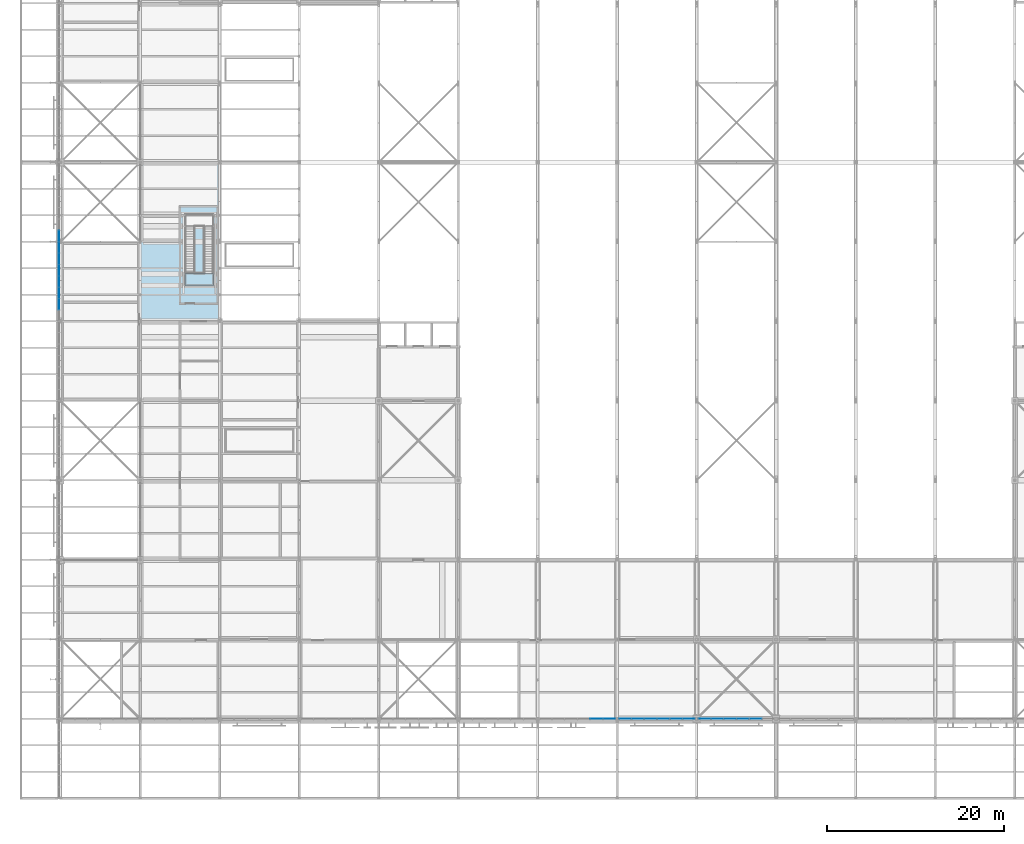
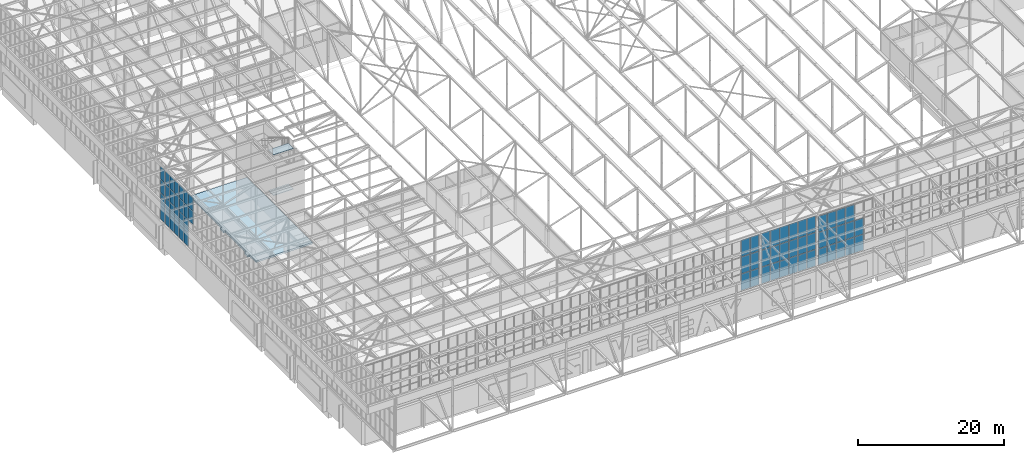
# One storey, part 145 of 646: 64 plates, 3 slabs, 6 elements without a shape of their own.
"""IFC4 building model written with IfcOpenShell, lengths in metres."""

from ifc_helpers import new_model, si_unit, direction, frame, origin, origin_2d, place, context, subcontext, project, spatial, polyline, rectangle, outline, extrude, material, layer, layer_set, type_object, element, aggregate, save


model = new_model("IFC4")

# Units and contexts
model_context = context("Model", 3, precision=1e-05, world=origin(), true_north=direction((0.0, 1.0)))
body_context = subcontext(model_context, "Body", "Model", "MODEL_VIEW")
ifc_project = project(units=[si_unit("LENGTHUNIT", "METRE"), si_unit("AREAUNIT", "SQUARE_METRE"), si_unit("VOLUMEUNIT", "CUBIC_METRE"), si_unit("PLANEANGLEUNIT", "RADIAN"), si_unit("MASSUNIT", "GRAM", prefix="KILO")], contexts=[model_context])

# Site, building, storey
site_placement = place(None, origin())
site = spatial("IfcSite", under=ifc_project, at=site_placement, CompositionType="ELEMENT")
building_placement = place(site_placement, origin())
building = spatial("IfcBuilding", under=site, at=building_placement, Name="Silverbay Arena", CompositionType="ELEMENT")
storey_placement = place(building_placement, frame((0.0, 0.0, 33.5)))
storey = spatial("IfcBuildingStorey", under=building, at=storey_placement, Name="L05", CompositionType="ELEMENT", Elevation=33.5)

# Curtain wall, plates
ifc_material_1 = material(Name="Aluminium framed glazing", Category="aluminium")
curtain_wall_type_1 = type_object("IfcCurtainWallType", Name="Curtain wall clerestory 8693 x 8540", PredefinedType="NOTDEFINED", material=ifc_material_1)
curtain_wall_1_placement = place(storey_placement, origin())
curtain_wall_1 = element("IfcCurtainWall", 1, at=curtain_wall_1_placement, inside=storey, type_object=curtain_wall_type_1, Name="ROOF CLERESTORY CURTAIN WALL south bay 07", PredefinedType="NOTDEFINED")
ifc_material_2 = material(Name="Laminated glass", Category="glass")
ifc_layer_1 = layer(ifc_material_2, 0.028076171875)
ifc_layer_set_1 = layer_set([ifc_layer_1], Name="Laminated glass")
plate_type = type_object("IfcPlateType", Name="Glass panel 28", PredefinedType="CURTAIN_PANEL", material=ifc_layer_set_1)
plate_1_placement = place(storey_placement, frame((114.673095703125, 18.0, 4.509765625), z_axis=(0.0, 0.0, 1.0), x_axis=(1.0, 0.0, 0.0)))
plate_1 = element("IfcPlate", 2, at=plate_1_placement, type_object=plate_type, Name="CW55 panel 5.1", PredefinedType="CURTAIN_PANEL", context=body_context, shape_type="SweptSolid", body=[
    extrude(rectangle(XDim=1.388671875, YDim=0.028076171875, at=origin_2d()), origin(), (0.0, 0.0, 1.0), 2.771728515625),
])
plate_2_placement = place(storey_placement, frame((114.673095703125, 18.0, 7.33154296875), z_axis=(0.0, 0.0, 1.0), x_axis=(1.0, 0.0, 0.0)))
plate_2 = element("IfcPlate", 3, at=plate_2_placement, type_object=plate_type, Name="CW55 panel 5.2", PredefinedType="CURTAIN_PANEL", context=body_context, shape_type="SweptSolid", body=[
    extrude(rectangle(XDim=1.388671875, YDim=0.028076171875, at=origin_2d()), origin(), (0.0, 0.0, 1.0), 2.796630859375),
])
plate_3_placement = place(storey_placement, frame((114.673095703125, 18.0, 10.17822265625), z_axis=(0.0, 0.0, 1.0), x_axis=(1.0, 0.0, 0.0)))
plate_3 = element("IfcPlate", 4, at=plate_3_placement, type_object=plate_type, Name="CW55 panel 5.3", PredefinedType="CURTAIN_PANEL", context=body_context, shape_type="SweptSolid", body=[
    extrude(rectangle(XDim=1.388671875, YDim=0.028076171875, at=origin_2d()), origin(), (0.0, 0.0, 1.0), 2.771728515625),
])
plate_4_placement = place(storey_placement, frame((116.10693359375, 18.0, 4.509765625), z_axis=(0.0, 0.0, 1.0), x_axis=(1.0, 0.0, 0.0)))
plate_4 = element("IfcPlate", 5, at=plate_4_placement, type_object=plate_type, Name="CW55 panel 6.1", PredefinedType="CURTAIN_PANEL", context=body_context, shape_type="SweptSolid", body=[
    extrude(rectangle(XDim=1.35888671875, YDim=0.028076171875, at=origin_2d()), origin(), (0.0, 0.0, 1.0), 2.771728515625),
])
plate_5_placement = place(storey_placement, frame((116.10693359375, 18.0, 7.33154296875), z_axis=(0.0, 0.0, 1.0), x_axis=(1.0, 0.0, 0.0)))
plate_5 = element("IfcPlate", 6, at=plate_5_placement, type_object=plate_type, Name="CW55 panel 6.2", PredefinedType="CURTAIN_PANEL", context=body_context, shape_type="SweptSolid", body=[
    extrude(rectangle(XDim=1.35888671875, YDim=0.028076171875, at=origin_2d()), origin(), (0.0, 0.0, 1.0), 2.796630859375),
])
plate_6_placement = place(storey_placement, frame((116.10693359375, 18.0, 10.17822265625), z_axis=(0.0, 0.0, 1.0), x_axis=(1.0, 0.0, 0.0)))
plate_6 = element("IfcPlate", 7, at=plate_6_placement, type_object=plate_type, Name="CW55 panel 6.3", PredefinedType="CURTAIN_PANEL", context=body_context, shape_type="SweptSolid", body=[
    extrude(rectangle(XDim=1.35888671875, YDim=0.028076171875, at=origin_2d()), origin(), (0.0, 0.0, 1.0), 2.771728515625),
])
aggregate(curtain_wall_1, [plate_1, plate_2, plate_3, plate_4, plate_5, plate_6])

curtain_wall_2_placement = place(storey_placement, origin())
curtain_wall_2 = element("IfcCurtainWall", 8, at=curtain_wall_2_placement, inside=storey, type_object=curtain_wall_type_1, Name="ROOF CLERESTORY CURTAIN WALL south bay 08", PredefinedType="NOTDEFINED")
plate_7_placement = place(storey_placement, frame((117.89306640625, 18.0, 4.509765625), z_axis=(0.0, 0.0, 1.0), x_axis=(1.0, 0.0, 0.0)))
plate_7 = element("IfcPlate", 9, at=plate_7_placement, type_object=plate_type, Name="CW55 panel 1.1", PredefinedType="CURTAIN_PANEL", context=body_context, shape_type="SweptSolid", body=[
    extrude(rectangle(XDim=1.35888671875, YDim=0.028076171875, at=origin_2d()), origin(), (0.0, 0.0, 1.0), 2.771728515625),
])
plate_8_placement = place(storey_placement, frame((117.89306640625, 18.0, 7.33154296875), z_axis=(0.0, 0.0, 1.0), x_axis=(1.0, 0.0, 0.0)))
plate_8 = element("IfcPlate", 10, at=plate_8_placement, type_object=plate_type, Name="CW55 panel 1.2", PredefinedType="CURTAIN_PANEL", context=body_context, shape_type="SweptSolid", body=[
    extrude(rectangle(XDim=1.35888671875, YDim=0.028076171875, at=origin_2d()), origin(), (0.0, 0.0, 1.0), 2.796630859375),
])
plate_9_placement = place(storey_placement, frame((117.89306640625, 18.0, 10.17822265625), z_axis=(0.0, 0.0, 1.0), x_axis=(1.0, 0.0, 0.0)))
plate_9 = element("IfcPlate", 11, at=plate_9_placement, type_object=plate_type, Name="CW55 panel 1.3", PredefinedType="CURTAIN_PANEL", context=body_context, shape_type="SweptSolid", body=[
    extrude(rectangle(XDim=1.35888671875, YDim=0.028076171875, at=origin_2d()), origin(), (0.0, 0.0, 1.0), 2.771728515625),
])
plate_10_placement = place(storey_placement, frame((119.326904296875, 18.0, 4.509765625), z_axis=(0.0, 0.0, 1.0), x_axis=(1.0, 0.0, 0.0)))
plate_10 = element("IfcPlate", 12, at=plate_10_placement, type_object=plate_type, Name="CW55 panel 2.1", PredefinedType="CURTAIN_PANEL", context=body_context, shape_type="SweptSolid", body=[
    extrude(rectangle(XDim=1.388671875, YDim=0.028076171875, at=origin_2d()), origin(), (0.0, 0.0, 1.0), 2.771728515625),
])
plate_11_placement = place(storey_placement, frame((119.326904296875, 18.0, 7.33154296875), z_axis=(0.0, 0.0, 1.0), x_axis=(1.0, 0.0, 0.0)))
plate_11 = element("IfcPlate", 13, at=plate_11_placement, type_object=plate_type, Name="CW55 panel 2.2", PredefinedType="CURTAIN_PANEL", context=body_context, shape_type="SweptSolid", body=[
    extrude(rectangle(XDim=1.388671875, YDim=0.028076171875, at=origin_2d()), origin(), (0.0, 0.0, 1.0), 2.796630859375),
])
plate_12_placement = place(storey_placement, frame((119.326904296875, 18.0, 10.17822265625), z_axis=(0.0, 0.0, 1.0), x_axis=(1.0, 0.0, 0.0)))
plate_12 = element("IfcPlate", 14, at=plate_12_placement, type_object=plate_type, Name="CW55 panel 2.3", PredefinedType="CURTAIN_PANEL", context=body_context, shape_type="SweptSolid", body=[
    extrude(rectangle(XDim=1.388671875, YDim=0.028076171875, at=origin_2d()), origin(), (0.0, 0.0, 1.0), 2.771728515625),
])
plate_13_placement = place(storey_placement, frame((120.775634765625, 18.0, 4.509765625), z_axis=(0.0, 0.0, 1.0), x_axis=(1.0, 0.0, 0.0)))
plate_13 = element("IfcPlate", 15, at=plate_13_placement, type_object=plate_type, Name="CW55 panel 3.1", PredefinedType="CURTAIN_PANEL", context=body_context, shape_type="SweptSolid", body=[
    extrude(rectangle(XDim=1.388671875, YDim=0.028076171875, at=origin_2d()), origin(), (0.0, 0.0, 1.0), 2.771728515625),
])
plate_14_placement = place(storey_placement, frame((120.775634765625, 18.0, 7.33154296875), z_axis=(0.0, 0.0, 1.0), x_axis=(1.0, 0.0, 0.0)))
plate_14 = element("IfcPlate", 16, at=plate_14_placement, type_object=plate_type, Name="CW55 panel 3.2", PredefinedType="CURTAIN_PANEL", context=body_context, shape_type="SweptSolid", body=[
    extrude(rectangle(XDim=1.388671875, YDim=0.028076171875, at=origin_2d()), origin(), (0.0, 0.0, 1.0), 2.796630859375),
])
plate_15_placement = place(storey_placement, frame((120.775634765625, 18.0, 10.17822265625), z_axis=(0.0, 0.0, 1.0), x_axis=(1.0, 0.0, 0.0)))
plate_15 = element("IfcPlate", 17, at=plate_15_placement, type_object=plate_type, Name="CW55 panel 3.3", PredefinedType="CURTAIN_PANEL", context=body_context, shape_type="SweptSolid", body=[
    extrude(rectangle(XDim=1.388671875, YDim=0.028076171875, at=origin_2d()), origin(), (0.0, 0.0, 1.0), 2.771728515625),
])
plate_16_placement = place(storey_placement, frame((122.224365234375, 18.0, 4.509765625), z_axis=(0.0, 0.0, 1.0), x_axis=(1.0, 0.0, 0.0)))
plate_16 = element("IfcPlate", 18, at=plate_16_placement, type_object=plate_type, Name="CW55 panel 4.1", PredefinedType="CURTAIN_PANEL", context=body_context, shape_type="SweptSolid", body=[
    extrude(rectangle(XDim=1.388671875, YDim=0.028076171875, at=origin_2d()), origin(), (0.0, 0.0, 1.0), 2.771728515625),
])
plate_17_placement = place(storey_placement, frame((122.224365234375, 18.0, 7.33154296875), z_axis=(0.0, 0.0, 1.0), x_axis=(1.0, 0.0, 0.0)))
plate_17 = element("IfcPlate", 19, at=plate_17_placement, type_object=plate_type, Name="CW55 panel 4.2", PredefinedType="CURTAIN_PANEL", context=body_context, shape_type="SweptSolid", body=[
    extrude(rectangle(XDim=1.388671875, YDim=0.028076171875, at=origin_2d()), origin(), (0.0, 0.0, 1.0), 2.796630859375),
])
plate_18_placement = place(storey_placement, frame((122.224365234375, 18.0, 10.17822265625), z_axis=(0.0, 0.0, 1.0), x_axis=(1.0, 0.0, 0.0)))
plate_18 = element("IfcPlate", 20, at=plate_18_placement, type_object=plate_type, Name="CW55 panel 4.3", PredefinedType="CURTAIN_PANEL", context=body_context, shape_type="SweptSolid", body=[
    extrude(rectangle(XDim=1.388671875, YDim=0.028076171875, at=origin_2d()), origin(), (0.0, 0.0, 1.0), 2.771728515625),
])
plate_19_placement = place(storey_placement, frame((123.673095703125, 18.0, 4.509765625), z_axis=(0.0, 0.0, 1.0), x_axis=(1.0, 0.0, 0.0)))
plate_19 = element("IfcPlate", 21, at=plate_19_placement, type_object=plate_type, Name="CW55 panel 5.1", PredefinedType="CURTAIN_PANEL", context=body_context, shape_type="SweptSolid", body=[
    extrude(rectangle(XDim=1.388671875, YDim=0.028076171875, at=origin_2d()), origin(), (0.0, 0.0, 1.0), 2.771728515625),
])
plate_20_placement = place(storey_placement, frame((123.673095703125, 18.0, 7.33154296875), z_axis=(0.0, 0.0, 1.0), x_axis=(1.0, 0.0, 0.0)))
plate_20 = element("IfcPlate", 22, at=plate_20_placement, type_object=plate_type, Name="CW55 panel 5.2", PredefinedType="CURTAIN_PANEL", context=body_context, shape_type="SweptSolid", body=[
    extrude(rectangle(XDim=1.388671875, YDim=0.028076171875, at=origin_2d()), origin(), (0.0, 0.0, 1.0), 2.796630859375),
])
plate_21_placement = place(storey_placement, frame((123.673095703125, 18.0, 10.17822265625), z_axis=(0.0, 0.0, 1.0), x_axis=(1.0, 0.0, 0.0)))
plate_21 = element("IfcPlate", 23, at=plate_21_placement, type_object=plate_type, Name="CW55 panel 5.3", PredefinedType="CURTAIN_PANEL", context=body_context, shape_type="SweptSolid", body=[
    extrude(rectangle(XDim=1.388671875, YDim=0.028076171875, at=origin_2d()), origin(), (0.0, 0.0, 1.0), 2.771728515625),
])
plate_22_placement = place(storey_placement, frame((125.10693359375, 18.0, 4.509765625), z_axis=(0.0, 0.0, 1.0), x_axis=(1.0, 0.0, 0.0)))
plate_22 = element("IfcPlate", 24, at=plate_22_placement, type_object=plate_type, Name="CW55 panel 6.1", PredefinedType="CURTAIN_PANEL", context=body_context, shape_type="SweptSolid", body=[
    extrude(rectangle(XDim=1.35888671875, YDim=0.028076171875, at=origin_2d()), origin(), (0.0, 0.0, 1.0), 2.771728515625),
])
plate_23_placement = place(storey_placement, frame((125.10693359375, 18.0, 7.33154296875), z_axis=(0.0, 0.0, 1.0), x_axis=(1.0, 0.0, 0.0)))
plate_23 = element("IfcPlate", 25, at=plate_23_placement, type_object=plate_type, Name="CW55 panel 6.2", PredefinedType="CURTAIN_PANEL", context=body_context, shape_type="SweptSolid", body=[
    extrude(rectangle(XDim=1.35888671875, YDim=0.028076171875, at=origin_2d()), origin(), (0.0, 0.0, 1.0), 2.796630859375),
])
plate_24_placement = place(storey_placement, frame((125.10693359375, 18.0, 10.17822265625), z_axis=(0.0, 0.0, 1.0), x_axis=(1.0, 0.0, 0.0)))
plate_24 = element("IfcPlate", 26, at=plate_24_placement, type_object=plate_type, Name="CW55 panel 6.3", PredefinedType="CURTAIN_PANEL", context=body_context, shape_type="SweptSolid", body=[
    extrude(rectangle(XDim=1.35888671875, YDim=0.028076171875, at=origin_2d()), origin(), (0.0, 0.0, 1.0), 2.771728515625),
])
aggregate(curtain_wall_2, [plate_7, plate_8, plate_9, plate_10, plate_11, plate_12, plate_13, plate_14, plate_15, plate_16, plate_17, plate_18, plate_19, plate_20, plate_21, plate_22, plate_23, plate_24])

ifc_material_3 = material(Name="Aluminium framed glazing", Category="aluminium")
curtain_wall_type_2 = type_object("IfcCurtainWallType", Name="Curtain wall clerestory 8693 x 8273", PredefinedType="NOTDEFINED", material=ifc_material_3)
curtain_wall_3_placement = place(storey_placement, origin())
curtain_wall_3 = element("IfcCurtainWall", 27, at=curtain_wall_3_placement, inside=storey, type_object=curtain_wall_type_2, Name="ROOF CLERESTORY CURTAIN WALL south bay 09", PredefinedType="NOTDEFINED")
plate_25_placement = place(storey_placement, frame((126.89306640625, 18.0, 4.510009765625), z_axis=(0.0, 0.0, 1.0), x_axis=(1.0, 0.0, 0.0)))
plate_25 = element("IfcPlate", 28, at=plate_25_placement, type_object=plate_type, Name="CW56 panel 1.1", PredefinedType="CURTAIN_PANEL", context=body_context, shape_type="SweptSolid", body=[
    extrude(rectangle(XDim=1.35888671875, YDim=0.028076171875, at=origin_2d()), origin(), (0.0, 0.0, 1.0), 2.6826171875),
])
plate_26_placement = place(storey_placement, frame((126.89306640625, 18.0, 7.24267578125), z_axis=(0.0, 0.0, 1.0), x_axis=(1.0, 0.0, 0.0)))
plate_26 = element("IfcPlate", 29, at=plate_26_placement, type_object=plate_type, Name="CW56 panel 1.2", PredefinedType="CURTAIN_PANEL", context=body_context, shape_type="SweptSolid", body=[
    extrude(rectangle(XDim=1.35888671875, YDim=0.028076171875, at=origin_2d()), origin(), (0.0, 0.0, 1.0), 2.707763671875),
])
plate_27_placement = place(storey_placement, frame((126.89306640625, 18.0, 10.00048828125), z_axis=(0.0, 0.0, 1.0), x_axis=(1.0, 0.0, 0.0)))
plate_27 = element("IfcPlate", 30, at=plate_27_placement, type_object=plate_type, Name="CW56 panel 1.3", PredefinedType="CURTAIN_PANEL", context=body_context, shape_type="SweptSolid", body=[
    extrude(rectangle(XDim=1.35888671875, YDim=0.028076171875, at=origin_2d()), origin(), (0.0, 0.0, 1.0), 2.6826171875),
])
plate_28_placement = place(storey_placement, frame((128.326904296875, 18.0, 4.510009765625), z_axis=(0.0, 0.0, 1.0), x_axis=(1.0, 0.0, 0.0)))
plate_28 = element("IfcPlate", 31, at=plate_28_placement, type_object=plate_type, Name="CW56 panel 2.1", PredefinedType="CURTAIN_PANEL", context=body_context, shape_type="SweptSolid", body=[
    extrude(rectangle(XDim=1.388671875, YDim=0.028076171875, at=origin_2d()), origin(), (0.0, 0.0, 1.0), 2.6826171875),
])
plate_29_placement = place(storey_placement, frame((128.326904296875, 18.0, 7.24267578125), z_axis=(0.0, 0.0, 1.0), x_axis=(1.0, 0.0, 0.0)))
plate_29 = element("IfcPlate", 32, at=plate_29_placement, type_object=plate_type, Name="CW56 panel 2.2", PredefinedType="CURTAIN_PANEL", context=body_context, shape_type="SweptSolid", body=[
    extrude(rectangle(XDim=1.388671875, YDim=0.028076171875, at=origin_2d()), origin(), (0.0, 0.0, 1.0), 2.707763671875),
])
plate_30_placement = place(storey_placement, frame((128.326904296875, 18.0, 10.00048828125), z_axis=(0.0, 0.0, 1.0), x_axis=(1.0, 0.0, 0.0)))
plate_30 = element("IfcPlate", 33, at=plate_30_placement, type_object=plate_type, Name="CW56 panel 2.3", PredefinedType="CURTAIN_PANEL", context=body_context, shape_type="SweptSolid", body=[
    extrude(rectangle(XDim=1.388671875, YDim=0.028076171875, at=origin_2d()), origin(), (0.0, 0.0, 1.0), 2.6826171875),
])
plate_31_placement = place(storey_placement, frame((129.775634765625, 18.0, 4.510009765625), z_axis=(0.0, 0.0, 1.0), x_axis=(1.0, 0.0, 0.0)))
plate_31 = element("IfcPlate", 34, at=plate_31_placement, type_object=plate_type, Name="CW56 panel 3.1", PredefinedType="CURTAIN_PANEL", context=body_context, shape_type="SweptSolid", body=[
    extrude(rectangle(XDim=1.388671875, YDim=0.028076171875, at=origin_2d()), origin(), (0.0, 0.0, 1.0), 2.6826171875),
])
plate_32_placement = place(storey_placement, frame((129.775634765625, 18.0, 7.24267578125), z_axis=(0.0, 0.0, 1.0), x_axis=(1.0, 0.0, 0.0)))
plate_32 = element("IfcPlate", 35, at=plate_32_placement, type_object=plate_type, Name="CW56 panel 3.2", PredefinedType="CURTAIN_PANEL", context=body_context, shape_type="SweptSolid", body=[
    extrude(rectangle(XDim=1.388671875, YDim=0.028076171875, at=origin_2d()), origin(), (0.0, 0.0, 1.0), 2.707763671875),
])
plate_33_placement = place(storey_placement, frame((129.775634765625, 18.0, 10.00048828125), z_axis=(0.0, 0.0, 1.0), x_axis=(1.0, 0.0, 0.0)))
plate_33 = element("IfcPlate", 36, at=plate_33_placement, type_object=plate_type, Name="CW56 panel 3.3", PredefinedType="CURTAIN_PANEL", context=body_context, shape_type="SweptSolid", body=[
    extrude(rectangle(XDim=1.388671875, YDim=0.028076171875, at=origin_2d()), origin(), (0.0, 0.0, 1.0), 2.6826171875),
])
plate_34_placement = place(storey_placement, frame((131.224365234375, 18.0, 4.510009765625), z_axis=(0.0, 0.0, 1.0), x_axis=(1.0, 0.0, 0.0)))
plate_34 = element("IfcPlate", 37, at=plate_34_placement, type_object=plate_type, Name="CW56 panel 4.1", PredefinedType="CURTAIN_PANEL", context=body_context, shape_type="SweptSolid", body=[
    extrude(rectangle(XDim=1.388671875, YDim=0.028076171875, at=origin_2d()), origin(), (0.0, 0.0, 1.0), 2.6826171875),
])
plate_35_placement = place(storey_placement, frame((131.224365234375, 18.0, 7.24267578125), z_axis=(0.0, 0.0, 1.0), x_axis=(1.0, 0.0, 0.0)))
plate_35 = element("IfcPlate", 38, at=plate_35_placement, type_object=plate_type, Name="CW56 panel 4.2", PredefinedType="CURTAIN_PANEL", context=body_context, shape_type="SweptSolid", body=[
    extrude(rectangle(XDim=1.388671875, YDim=0.028076171875, at=origin_2d()), origin(), (0.0, 0.0, 1.0), 2.707763671875),
])
plate_36_placement = place(storey_placement, frame((131.224365234375, 18.0, 10.00048828125), z_axis=(0.0, 0.0, 1.0), x_axis=(1.0, 0.0, 0.0)))
plate_36 = element("IfcPlate", 39, at=plate_36_placement, type_object=plate_type, Name="CW56 panel 4.3", PredefinedType="CURTAIN_PANEL", context=body_context, shape_type="SweptSolid", body=[
    extrude(rectangle(XDim=1.388671875, YDim=0.028076171875, at=origin_2d()), origin(), (0.0, 0.0, 1.0), 2.6826171875),
])
plate_37_placement = place(storey_placement, frame((132.673095703125, 18.0, 4.510009765625), z_axis=(0.0, 0.0, 1.0), x_axis=(1.0, 0.0, 0.0)))
plate_37 = element("IfcPlate", 40, at=plate_37_placement, type_object=plate_type, Name="CW56 panel 5.1", PredefinedType="CURTAIN_PANEL", context=body_context, shape_type="SweptSolid", body=[
    extrude(rectangle(XDim=1.388671875, YDim=0.028076171875, at=origin_2d()), origin(), (0.0, 0.0, 1.0), 2.6826171875),
])
plate_38_placement = place(storey_placement, frame((132.673095703125, 18.0, 7.24267578125), z_axis=(0.0, 0.0, 1.0), x_axis=(1.0, 0.0, 0.0)))
plate_38 = element("IfcPlate", 41, at=plate_38_placement, type_object=plate_type, Name="CW56 panel 5.2", PredefinedType="CURTAIN_PANEL", context=body_context, shape_type="SweptSolid", body=[
    extrude(rectangle(XDim=1.388671875, YDim=0.028076171875, at=origin_2d()), origin(), (0.0, 0.0, 1.0), 2.707763671875),
])
aggregate(curtain_wall_3, [plate_25, plate_26, plate_27, plate_28, plate_29, plate_30, plate_31, plate_32, plate_33, plate_34, plate_35, plate_36, plate_37, plate_38])

ifc_material_4 = material(Name="Aluminium framed glazing", Category="aluminium")
curtain_wall_type_3 = type_object("IfcCurtainWallType", Name="Curtain wall clerestory 9000 x 9000", PredefinedType="NOTDEFINED", material=ifc_material_4)
curtain_wall_4_placement = place(storey_placement, origin())
curtain_wall_4 = element("IfcCurtainWall", 42, at=curtain_wall_4_placement, inside=storey, type_object=curtain_wall_type_3, Name="ROOF GABLE CLERESTORY CURTAIN WALL west bay 07", PredefinedType="NOTDEFINED")
plate_39_placement = place(storey_placement, frame((53.820068359375, 64.928466796875, 8.52490234375), z_axis=(0.0, 0.0, 1.0), x_axis=(0.0, 1.0, 0.0)))
plate_39 = element("IfcPlate", 43, at=plate_39_placement, type_object=plate_type, Name="CW60 panel 2.3", PredefinedType="CURTAIN_PANEL", context=body_context, shape_type="SweptSolid", body=[
    extrude(rectangle(XDim=1.225830078125, YDim=0.028076171875, at=origin_2d()), origin(), (0.0, 0.0, 1.0), 2.199951171875),
])
plate_40_placement = place(storey_placement, frame((53.820068359375, 64.928466796875, 10.77490234375), z_axis=(0.0, 0.0, 1.0), x_axis=(0.0, 1.0, 0.0)))
plate_40 = element("IfcPlate", 44, at=plate_40_placement, type_object=plate_type, Name="CW60 panel 2.4", PredefinedType="CURTAIN_PANEL", context=body_context, shape_type="SweptSolid", body=[
    extrude(rectangle(XDim=1.225830078125, YDim=0.028076171875, at=origin_2d()), origin(), (0.0, 0.0, 1.0), 2.175048828125),
])
plate_41_placement = place(storey_placement, frame((53.820068359375, 66.21435546875, 4.0498046875), z_axis=(0.0, 0.0, 1.0), x_axis=(0.0, 1.0, 0.0)))
plate_41 = element("IfcPlate", 45, at=plate_41_placement, type_object=plate_type, Name="CW60 panel 3.1", PredefinedType="CURTAIN_PANEL", context=body_context, shape_type="SweptSolid", body=[
    extrude(rectangle(XDim=1.225830078125, YDim=0.028076171875, at=origin_2d()), origin(), (0.0, 0.0, 1.0), 2.175048828125),
])
plate_42_placement = place(storey_placement, frame((53.820068359375, 66.21435546875, 6.27490234375), z_axis=(0.0, 0.0, 1.0), x_axis=(0.0, 1.0, 0.0)))
plate_42 = element("IfcPlate", 46, at=plate_42_placement, type_object=plate_type, Name="CW60 panel 3.2", PredefinedType="CURTAIN_PANEL", context=body_context, shape_type="SweptSolid", body=[
    extrude(rectangle(XDim=1.225830078125, YDim=0.028076171875, at=origin_2d()), origin(), (0.0, 0.0, 1.0), 2.199951171875),
])
plate_43_placement = place(storey_placement, frame((53.820068359375, 66.21435546875, 8.52490234375), z_axis=(0.0, 0.0, 1.0), x_axis=(0.0, 1.0, 0.0)))
plate_43 = element("IfcPlate", 47, at=plate_43_placement, type_object=plate_type, Name="CW60 panel 3.3", PredefinedType="CURTAIN_PANEL", context=body_context, shape_type="SweptSolid", body=[
    extrude(rectangle(XDim=1.225830078125, YDim=0.028076171875, at=origin_2d()), origin(), (0.0, 0.0, 1.0), 2.199951171875),
])
plate_44_placement = place(storey_placement, frame((53.820068359375, 66.21435546875, 10.77490234375), z_axis=(0.0, 0.0, 1.0), x_axis=(0.0, 1.0, 0.0)))
plate_44 = element("IfcPlate", 48, at=plate_44_placement, type_object=plate_type, Name="CW60 panel 3.4", PredefinedType="CURTAIN_PANEL", context=body_context, shape_type="SweptSolid", body=[
    extrude(rectangle(XDim=1.225830078125, YDim=0.028076171875, at=origin_2d()), origin(), (0.0, 0.0, 1.0), 2.175048828125),
])
plate_45_placement = place(storey_placement, frame((53.820068359375, 67.5, 4.0498046875), z_axis=(0.0, 0.0, 1.0), x_axis=(0.0, 1.0, 0.0)))
plate_45 = element("IfcPlate", 49, at=plate_45_placement, type_object=plate_type, Name="CW60 panel 4.1", PredefinedType="CURTAIN_PANEL", context=body_context, shape_type="SweptSolid", body=[
    extrude(rectangle(XDim=1.225830078125, YDim=0.028076171875, at=origin_2d()), origin(), (0.0, 0.0, 1.0), 2.175048828125),
])
plate_46_placement = place(storey_placement, frame((53.820068359375, 67.5, 6.27490234375), z_axis=(0.0, 0.0, 1.0), x_axis=(0.0, 1.0, 0.0)))
plate_46 = element("IfcPlate", 50, at=plate_46_placement, type_object=plate_type, Name="CW60 panel 4.2", PredefinedType="CURTAIN_PANEL", context=body_context, shape_type="SweptSolid", body=[
    extrude(rectangle(XDim=1.225830078125, YDim=0.028076171875, at=origin_2d()), origin(), (0.0, 0.0, 1.0), 2.199951171875),
])
plate_47_placement = place(storey_placement, frame((53.820068359375, 67.5, 8.52490234375), z_axis=(0.0, 0.0, 1.0), x_axis=(0.0, 1.0, 0.0)))
plate_47 = element("IfcPlate", 51, at=plate_47_placement, type_object=plate_type, Name="CW60 panel 4.3", PredefinedType="CURTAIN_PANEL", context=body_context, shape_type="SweptSolid", body=[
    extrude(rectangle(XDim=1.225830078125, YDim=0.028076171875, at=origin_2d()), origin(), (0.0, 0.0, 1.0), 2.199951171875),
])
plate_48_placement = place(storey_placement, frame((53.820068359375, 67.5, 10.77490234375), z_axis=(0.0, 0.0, 1.0), x_axis=(0.0, 1.0, 0.0)))
plate_48 = element("IfcPlate", 52, at=plate_48_placement, type_object=plate_type, Name="CW60 panel 4.4", PredefinedType="CURTAIN_PANEL", context=body_context, shape_type="SweptSolid", body=[
    extrude(rectangle(XDim=1.225830078125, YDim=0.028076171875, at=origin_2d()), origin(), (0.0, 0.0, 1.0), 2.175048828125),
])
plate_49_placement = place(storey_placement, frame((53.820068359375, 68.78564453125, 4.0498046875), z_axis=(0.0, 0.0, 1.0), x_axis=(0.0, 1.0, 0.0)))
plate_49 = element("IfcPlate", 53, at=plate_49_placement, type_object=plate_type, Name="CW60 panel 5.1", PredefinedType="CURTAIN_PANEL", context=body_context, shape_type="SweptSolid", body=[
    extrude(rectangle(XDim=1.225830078125, YDim=0.028076171875, at=origin_2d()), origin(), (0.0, 0.0, 1.0), 2.175048828125),
])
plate_50_placement = place(storey_placement, frame((53.820068359375, 68.78564453125, 6.27490234375), z_axis=(0.0, 0.0, 1.0), x_axis=(0.0, 1.0, 0.0)))
plate_50 = element("IfcPlate", 54, at=plate_50_placement, type_object=plate_type, Name="CW60 panel 5.2", PredefinedType="CURTAIN_PANEL", context=body_context, shape_type="SweptSolid", body=[
    extrude(rectangle(XDim=1.225830078125, YDim=0.028076171875, at=origin_2d()), origin(), (0.0, 0.0, 1.0), 2.199951171875),
])
plate_51_placement = place(storey_placement, frame((53.820068359375, 68.78564453125, 8.52490234375), z_axis=(0.0, 0.0, 1.0), x_axis=(0.0, 1.0, 0.0)))
plate_51 = element("IfcPlate", 55, at=plate_51_placement, type_object=plate_type, Name="CW60 panel 5.3", PredefinedType="CURTAIN_PANEL", context=body_context, shape_type="SweptSolid", body=[
    extrude(rectangle(XDim=1.225830078125, YDim=0.028076171875, at=origin_2d()), origin(), (0.0, 0.0, 1.0), 2.199951171875),
])
plate_52_placement = place(storey_placement, frame((53.820068359375, 68.78564453125, 10.77490234375), z_axis=(0.0, 0.0, 1.0), x_axis=(0.0, 1.0, 0.0)))
plate_52 = element("IfcPlate", 56, at=plate_52_placement, type_object=plate_type, Name="CW60 panel 5.4", PredefinedType="CURTAIN_PANEL", context=body_context, shape_type="SweptSolid", body=[
    extrude(rectangle(XDim=1.225830078125, YDim=0.028076171875, at=origin_2d()), origin(), (0.0, 0.0, 1.0), 2.175048828125),
])
plate_53_placement = place(storey_placement, frame((53.820068359375, 70.071533203125, 4.0498046875), z_axis=(0.0, 0.0, 1.0), x_axis=(0.0, 1.0, 0.0)))
plate_53 = element("IfcPlate", 57, at=plate_53_placement, type_object=plate_type, Name="CW60 panel 6.1", PredefinedType="CURTAIN_PANEL", context=body_context, shape_type="SweptSolid", body=[
    extrude(rectangle(XDim=1.225830078125, YDim=0.028076171875, at=origin_2d()), origin(), (0.0, 0.0, 1.0), 2.175048828125),
])
plate_54_placement = place(storey_placement, frame((53.820068359375, 70.071533203125, 6.27490234375), z_axis=(0.0, 0.0, 1.0), x_axis=(0.0, 1.0, 0.0)))
plate_54 = element("IfcPlate", 58, at=plate_54_placement, type_object=plate_type, Name="CW60 panel 6.2", PredefinedType="CURTAIN_PANEL", context=body_context, shape_type="SweptSolid", body=[
    extrude(rectangle(XDim=1.225830078125, YDim=0.028076171875, at=origin_2d()), origin(), (0.0, 0.0, 1.0), 2.199951171875),
])
plate_55_placement = place(storey_placement, frame((53.820068359375, 70.071533203125, 8.52490234375), z_axis=(0.0, 0.0, 1.0), x_axis=(0.0, 1.0, 0.0)))
plate_55 = element("IfcPlate", 59, at=plate_55_placement, type_object=plate_type, Name="CW60 panel 6.3", PredefinedType="CURTAIN_PANEL", context=body_context, shape_type="SweptSolid", body=[
    extrude(rectangle(XDim=1.225830078125, YDim=0.028076171875, at=origin_2d()), origin(), (0.0, 0.0, 1.0), 2.199951171875),
])
plate_56_placement = place(storey_placement, frame((53.820068359375, 70.071533203125, 10.77490234375), z_axis=(0.0, 0.0, 1.0), x_axis=(0.0, 1.0, 0.0)))
plate_56 = element("IfcPlate", 60, at=plate_56_placement, type_object=plate_type, Name="CW60 panel 6.4", PredefinedType="CURTAIN_PANEL", context=body_context, shape_type="SweptSolid", body=[
    extrude(rectangle(XDim=1.225830078125, YDim=0.028076171875, at=origin_2d()), origin(), (0.0, 0.0, 1.0), 2.175048828125),
])
plate_57_placement = place(storey_placement, frame((53.820068359375, 71.342041015625, 4.0498046875), z_axis=(0.0, 0.0, 1.0), x_axis=(0.0, 1.0, 0.0)))
plate_57 = element("IfcPlate", 61, at=plate_57_placement, type_object=plate_type, Name="CW60 panel 7.1", PredefinedType="CURTAIN_PANEL", context=body_context, shape_type="SweptSolid", body=[
    extrude(rectangle(XDim=1.19580078125, YDim=0.028076171875, at=origin_2d()), origin(), (0.0, 0.0, 1.0), 2.175048828125),
])
plate_58_placement = place(storey_placement, frame((53.820068359375, 71.342041015625, 6.27490234375), z_axis=(0.0, 0.0, 1.0), x_axis=(0.0, 1.0, 0.0)))
plate_58 = element("IfcPlate", 62, at=plate_58_placement, type_object=plate_type, Name="CW60 panel 7.2", PredefinedType="CURTAIN_PANEL", context=body_context, shape_type="SweptSolid", body=[
    extrude(rectangle(XDim=1.19580078125, YDim=0.028076171875, at=origin_2d()), origin(), (0.0, 0.0, 1.0), 2.199951171875),
])
plate_59_placement = place(storey_placement, frame((53.820068359375, 71.342041015625, 8.52490234375), z_axis=(0.0, 0.0, 1.0), x_axis=(0.0, 1.0, 0.0)))
plate_59 = element("IfcPlate", 63, at=plate_59_placement, type_object=plate_type, Name="CW60 panel 7.3", PredefinedType="CURTAIN_PANEL", context=body_context, shape_type="SweptSolid", body=[
    extrude(rectangle(XDim=1.19580078125, YDim=0.028076171875, at=origin_2d()), origin(), (0.0, 0.0, 1.0), 2.199951171875),
])
plate_60_placement = place(storey_placement, frame((53.820068359375, 71.342041015625, 10.77490234375), z_axis=(0.0, 0.0, 1.0), x_axis=(0.0, 1.0, 0.0)))
plate_60 = element("IfcPlate", 64, at=plate_60_placement, type_object=plate_type, Name="CW60 panel 7.4", PredefinedType="CURTAIN_PANEL", context=body_context, shape_type="SweptSolid", body=[
    extrude(rectangle(XDim=1.19580078125, YDim=0.028076171875, at=origin_2d()), origin(), (0.0, 0.0, 1.0), 2.175048828125),
])
aggregate(curtain_wall_4, [plate_39, plate_40, plate_41, plate_42, plate_43, plate_44, plate_45, plate_46, plate_47, plate_48, plate_49, plate_50, plate_51, plate_52, plate_53, plate_54, plate_55, plate_56, plate_57, plate_58, plate_59, plate_60])

curtain_wall_5_placement = place(storey_placement, origin())
curtain_wall_5 = element("IfcCurtainWall", 65, at=curtain_wall_5_placement, inside=storey, type_object=curtain_wall_type_3, Name="ROOF GABLE CLERESTORY CURTAIN WALL west bay 08", PredefinedType="NOTDEFINED")
plate_61_placement = place(storey_placement, frame((53.820068359375, 72.657958984375, 4.0498046875), z_axis=(0.0, 0.0, 1.0), x_axis=(0.0, 1.0, 0.0)))
plate_61 = element("IfcPlate", 66, at=plate_61_placement, type_object=plate_type, Name="CW60 panel 1.1", PredefinedType="CURTAIN_PANEL", context=body_context, shape_type="SweptSolid", body=[
    extrude(rectangle(XDim=1.19580078125, YDim=0.028076171875, at=origin_2d()), origin(), (0.0, 0.0, 1.0), 2.175048828125),
])
plate_62_placement = place(storey_placement, frame((53.820068359375, 72.657958984375, 6.27490234375), z_axis=(0.0, 0.0, 1.0), x_axis=(0.0, 1.0, 0.0)))
plate_62 = element("IfcPlate", 67, at=plate_62_placement, type_object=plate_type, Name="CW60 panel 1.2", PredefinedType="CURTAIN_PANEL", context=body_context, shape_type="SweptSolid", body=[
    extrude(rectangle(XDim=1.19580078125, YDim=0.028076171875, at=origin_2d()), origin(), (0.0, 0.0, 1.0), 2.199951171875),
])
plate_63_placement = place(storey_placement, frame((53.820068359375, 72.657958984375, 8.52490234375), z_axis=(0.0, 0.0, 1.0), x_axis=(0.0, 1.0, 0.0)))
plate_63 = element("IfcPlate", 68, at=plate_63_placement, type_object=plate_type, Name="CW60 panel 1.3", PredefinedType="CURTAIN_PANEL", context=body_context, shape_type="SweptSolid", body=[
    extrude(rectangle(XDim=1.19580078125, YDim=0.028076171875, at=origin_2d()), origin(), (0.0, 0.0, 1.0), 2.199951171875),
])
plate_64_placement = place(storey_placement, frame((53.820068359375, 72.657958984375, 10.77490234375), z_axis=(0.0, 0.0, 1.0), x_axis=(0.0, 1.0, 0.0)))
plate_64 = element("IfcPlate", 69, at=plate_64_placement, type_object=plate_type, Name="CW60 panel 1.4", PredefinedType="CURTAIN_PANEL", context=body_context, shape_type="SweptSolid", body=[
    extrude(rectangle(XDim=1.19580078125, YDim=0.028076171875, at=origin_2d()), origin(), (0.0, 0.0, 1.0), 2.175048828125),
])
aggregate(curtain_wall_5, [plate_61, plate_62, plate_63, plate_64])

# Slab
ifc_material_5 = material(Name="Concrete Grade C45", Category="concrete")
ifc_layer_2 = layer(ifc_material_5, 0.300048828125)
ifc_layer_set_2 = layer_set([ifc_layer_2], Name="Concrete Grade C45")
slab_type_1 = type_object("IfcSlabType", Name="RC floor slab 300", PredefinedType="FLOOR", material=ifc_layer_set_2)
slab_1_placement = place(storey_placement, frame((0.0, 0.0, -0.300048828125)))
element("IfcSlab", 70, at=slab_1_placement, inside=storey, type_object=slab_type_1, Name="Floor slab L05 unit 6", PredefinedType="FLOOR", context=body_context, shape_type="SweptSolid", body=[
    extrude(outline(polyline([(63.0, 64.699951171875), (62.699951171875, 64.699951171875), (62.699951171875, 65.60009765625), (63.0, 65.60009765625), (63.0, 71.39990234375), (62.699951171875, 71.39990234375), (62.699951171875, 72.300048828125), (63.0, 72.300048828125), (63.0, 81.0), (72.0, 81.0), (72.0, 63.0), (63.0, 63.0), (63.0, 64.699951171875)])), origin(), (0.0, 0.0, 1.0), 0.300048828125),
])

# Stair, slabs
ifc_material_6 = material(Name="Steel S355", Category="steel")
stair_type = type_object("IfcStairType", Name="Roof access stair RA1 (80 risers 170.0 x 280, 1100 wide)", PredefinedType="DOUBLE_RETURN_STAIR", material=ifc_material_6)
stair_placement = place(storey_placement, origin())
stair = element("IfcStair", 71, at=stair_placement, inside=storey, type_object=stair_type, Name="Stair RA1 L05 to ROOF", PredefinedType="DOUBLE_RETURN_STAIR")
ifc_material_7 = material(Name="Steel S355", Category="steel")
ifc_layer_3 = layer(ifc_material_7, 0.080078125)
ifc_layer_set_3 = layer_set([ifc_layer_3], Name="Steel S355")
slab_type_2 = type_object("IfcSlabType", Name="Steel stair landing plate 80", PredefinedType="LANDING", material=ifc_layer_set_3)
slab_2_placement = place(storey_placement, frame((0.0, 0.0, 6.719970703125)))
slab_2 = element("IfcSlab", 72, at=slab_2_placement, type_object=slab_type_2, Name="Stair RA1 L05 to ROOF landing 2", PredefinedType="LANDING", context=body_context, shape_type="SweptSolid", body=[
    extrude(outline(polyline([(68.10009765625, 67.0), (68.10009765625, 68.39990234375), (71.300048828125, 68.39990234375), (71.300048828125, 67.0), (68.10009765625, 67.0)])), origin(), (0.0, 0.0, 1.0), 0.080078125),
])
slab_3_placement = place(storey_placement, frame((0.0, 0.0, 13.52001953125)))
slab_3 = element("IfcSlab", 73, at=slab_3_placement, type_object=slab_type_2, Name="Stair RA1 L05 to ROOF landing 4", PredefinedType="LANDING", context=body_context, shape_type="SweptSolid", body=[
    extrude(outline(polyline([(68.10009765625, 67.0), (68.10009765625, 68.39990234375), (71.300048828125, 68.39990234375), (71.300048828125, 67.0), (68.10009765625, 67.0)])), origin(), (0.0, 0.0, 1.0), 0.080078125),
])
aggregate(stair, [slab_2, slab_3])

save(model, "model.ifc")
